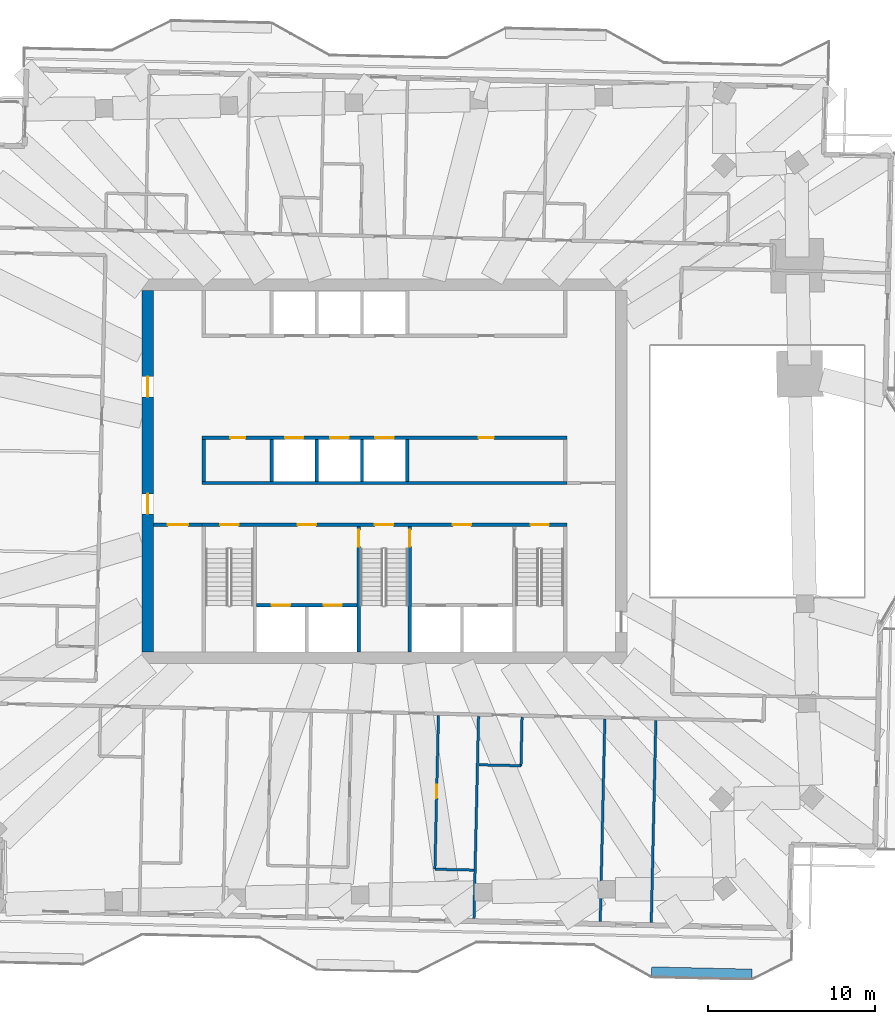
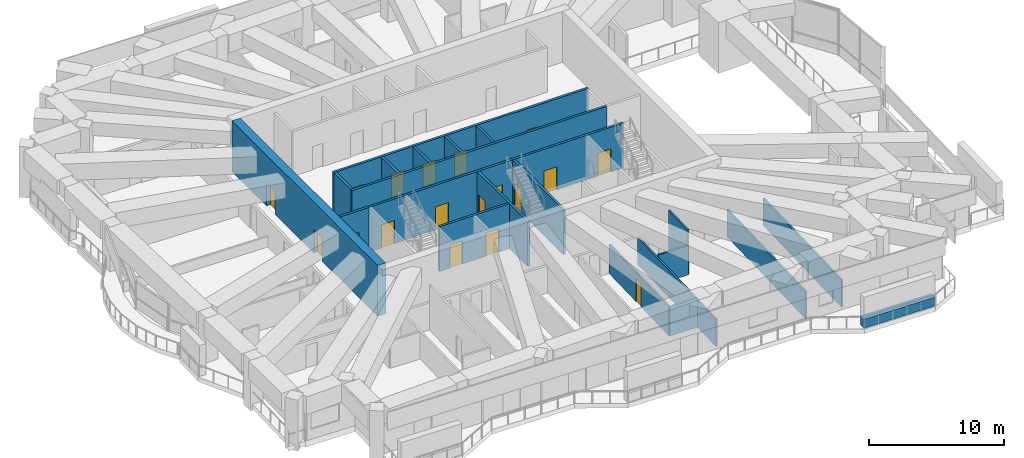
# One storey, part 11 of 20: 21 walls, 18 doors, 18 openings.
"""IFC4 building model written with IfcOpenShell, lengths in metres."""

from ifc_helpers import new_model, si_unit, direction, frame, frame_2d, origin, place, context, subcontext, project, spatial, rectangle, extrude, material, layer, layer_set, type_object, element, fill, save


model = new_model("IFC4")

# Units and contexts
model_context = context("Model", 3, precision=1e-05, world=origin(), true_north=direction((0.0, 1.0)))
body_context = subcontext(model_context, "Body", "Model", "MODEL_VIEW")
ifc_project = project(units=[si_unit("LENGTHUNIT", "METRE"), si_unit("AREAUNIT", "SQUARE_METRE"), si_unit("VOLUMEUNIT", "CUBIC_METRE"), si_unit("PLANEANGLEUNIT", "RADIAN"), si_unit("MASSUNIT", "GRAM", prefix="KILO")], contexts=[model_context])

# Site, building, storey
site_placement = place(None, origin())
site = spatial("IfcSite", under=ifc_project, at=site_placement, CompositionType="ELEMENT")
building_placement = place(site_placement, origin())
building = spatial("IfcBuilding", under=site, at=building_placement, Name="Mangrove Gate Tower", CompositionType="ELEMENT")
storey_placement = place(building_placement, frame((0.0, 0.0, 252.699951171875)))
storey = spatial("IfcBuildingStorey", under=building, at=storey_placement, Name="L64", CompositionType="ELEMENT", Elevation=252.699951171875)

# Wall, opening, door
ifc_material_1 = material(Name="Concrete C32/40", Category="concrete")
ifc_layer_1 = layer(ifc_material_1, 0.199951171875)
ifc_layer_set_1 = layer_set([ifc_layer_1], Name="Core lobby wall 200 C32/40")
wall_type_1 = type_object("IfcWallType", Name="Core lobby wall 200 C32/40", PredefinedType="STANDARD", material=ifc_layer_set_1)
wall_1_placement = place(storey_placement, frame((-13.800048828125, -3.199951171875, 0.0), z_axis=(0.0, 0.0, 1.0), x_axis=(1.0, 0.0, 0.0)))
wall_1 = element("IfcWall", 1, at=wall_1_placement, inside=storey, type_object=wall_type_1, Name="WALL-L64-CORE-31", PredefinedType="STANDARD", context=body_context, shape_type="SweptSolid", body=[
    extrude(rectangle(XDim=2.900146484375, YDim=0.199951171875, at=frame_2d((1.4501953125, 0.0))), origin(), (0.0, 0.0, 1.0), 4.050048828125),
])
opening_1_placement = place(wall_1_placement, frame((0.85009765625, 0.0, 0.0)))
opening_1 = element("IfcOpeningElement", 2, at=opening_1_placement, cuts=wall_1, Name="Opening FL12", PredefinedType="OPENING", context=body_context, shape_type="SweptSolid", body=[
    extrude(rectangle(XDim=1.199951171875, YDim=2.10009765625, at=frame_2d((0.60009765625, 1.050048828125))), frame((0.0, 0.10986328125, 0.0), z_axis=(0.0, -1.0, 0.0), x_axis=(1.0, 0.0, 0.0)), (0.0, 0.0, 1.0), 0.219970703125),
])
ifc_material_2 = material(Name="Fire-rated steel door set", Category="steel")
door_type_1 = type_object("IfcDoorType", Name="Lobby door FD60 1200x2100", OperationType="SINGLE_SWING_LEFT", PredefinedType="DOOR", material=ifc_material_2)
door_1_placement = place(opening_1_placement, origin())
door_1 = element("IfcDoor", 3, at=door_1_placement, inside=storey, type_object=door_type_1, Name="Lobby door core corridor W partition", OperationType="SINGLE_SWING_LEFT", OverallHeight=2.10009765625, OverallWidth=1.199951171875, PredefinedType="DOOR", context=body_context, shape_type="SweptSolid", body=[
    extrude(rectangle(XDim=1.199951171875, YDim=2.10009765625, at=frame_2d((0.60009765625, 1.050048828125))), frame((0.0, 0.02490234375, 0.0), z_axis=(0.0, -1.0, 0.0), x_axis=(1.0, 0.0, 0.0)), (0.0, 0.0, 1.0), 0.050048828125),
])
fill(opening_1, door_1)

# Walls
ifc_material_3 = material(Name="Concrete C32/40", Category="concrete")
ifc_layer_2 = layer(ifc_material_3, 0.199951171875)
ifc_layer_set_2 = layer_set([ifc_layer_2], Name="Core room wall 200 C32/40")
wall_type_2 = type_object("IfcWallType", Name="Core room wall 200 C32/40", PredefinedType="STANDARD", material=ifc_layer_set_2)
wall_2_placement = place(storey_placement, frame((-10.800048828125, -0.60009765625, 0.0), z_axis=(0.0, 0.0, 1.0), x_axis=(0.0, 1.0, 0.0)))
element("IfcWall", 4, at=wall_2_placement, inside=storey, type_object=wall_type_2, Name="WALL-L64-CORE-19", PredefinedType="STANDARD", context=body_context, shape_type="SweptSolid", body=[
    extrude(rectangle(XDim=2.5, YDim=0.199951171875, at=frame_2d((1.25, 0.0))), origin(), (0.0, 0.0, 1.0), 4.050048828125),
])
ifc_material_4 = material(Name="Concrete C60/75", Category="concrete")
ifc_layer_3 = layer(ifc_material_4, 0.199951171875)
ifc_layer_set_3 = layer_set([ifc_layer_3], Name="Core shaft wall 200 C60/75")
wall_type_3 = type_object("IfcWallType", Name="Core shaft wall 200 C60/75", PredefinedType="SHEAR", material=ifc_layer_set_3)
wall_3_placement = place(storey_placement, frame((-10.89990234375, -0.699951171875, 0.0), z_axis=(0.0, 0.0, 1.0), x_axis=(1.0, 0.0, 0.0)))
element("IfcWall", 5, at=wall_3_placement, inside=storey, type_object=wall_type_3, Name="WALL-L64-CORE-6", PredefinedType="SHEAR", context=body_context, shape_type="SweptSolid", body=[
    extrude(rectangle(XDim=21.7998046875, YDim=0.199951171875, at=frame_2d((10.89990234375, 0.0))), origin(), (0.0, 0.0, 1.0), 4.050048828125),
])

# Wall, openings, doors
wall_4_placement = place(storey_placement, frame((-10.89990234375, 2.0, 0.0), z_axis=(0.0, 0.0, 1.0), x_axis=(1.0, 0.0, 0.0)))
wall_4 = element("IfcWall", 6, at=wall_4_placement, inside=storey, type_object=wall_type_3, Name="WALL-L64-CORE-7", PredefinedType="SHEAR", context=body_context, shape_type="SweptSolid", body=[
    extrude(rectangle(XDim=21.7998046875, YDim=0.199951171875, at=frame_2d((10.89990234375, 0.0))), origin(), (0.0, 0.0, 1.0), 4.050048828125),
])
opening_2_placement = place(wall_4_placement, frame((4.949951171875, 0.0, 0.0)))
opening_2 = element("IfcOpeningElement", 7, at=opening_2_placement, cuts=wall_4, Name="Opening LD", PredefinedType="OPENING", context=body_context, shape_type="SweptSolid", body=[
    extrude(rectangle(XDim=1.10009765625, YDim=2.10009765625, at=frame_2d((0.550048828125, 1.050048828125))), frame((0.0, 0.10986328125, 0.0), z_axis=(0.0, -1.0, 0.0), x_axis=(1.0, 0.0, 0.0)), (0.0, 0.0, 1.0), 0.219970703125),
])
opening_3_placement = place(wall_4_placement, frame((7.64990234375, 0.0, 0.0)))
opening_3 = element("IfcOpeningElement", 8, at=opening_3_placement, cuts=wall_4, Name="Opening LD", PredefinedType="OPENING", context=body_context, shape_type="SweptSolid", body=[
    extrude(rectangle(XDim=1.10009765625, YDim=2.10009765625, at=frame_2d((0.550048828125, 1.050048828125))), frame((0.0, 0.10986328125, 0.0), z_axis=(0.0, -1.0, 0.0), x_axis=(1.0, 0.0, 0.0)), (0.0, 0.0, 1.0), 0.219970703125),
])
opening_4_placement = place(wall_4_placement, frame((10.35009765625, 0.0, 0.0)))
opening_4 = element("IfcOpeningElement", 9, at=opening_4_placement, cuts=wall_4, Name="Opening LD", PredefinedType="OPENING", context=body_context, shape_type="SweptSolid", body=[
    extrude(rectangle(XDim=1.10009765625, YDim=2.10009765625, at=frame_2d((0.550048828125, 1.050048828125))), frame((0.0, 0.10986328125, 0.0), z_axis=(0.0, -1.0, 0.0), x_axis=(1.0, 0.0, 0.0)), (0.0, 0.0, 1.0), 0.219970703125),
])
opening_5_placement = place(wall_4_placement, frame((1.675048828125, 0.0, 0.0)))
opening_5 = element("IfcOpeningElement", 10, at=opening_5_placement, cuts=wall_4, Name="Opening KD", PredefinedType="OPENING", context=body_context, shape_type="SweptSolid", body=[
    extrude(rectangle(XDim=0.89990234375, YDim=2.10009765625, at=frame_2d((0.449951171875, 1.050048828125))), frame((0.0, 0.10986328125, 0.0), z_axis=(0.0, -1.0, 0.0), x_axis=(1.0, 0.0, 0.0)), (0.0, 0.0, 1.0), 0.219970703125),
])
opening_6_placement = place(wall_4_placement, frame((16.52490234375, 0.0, 0.0)))
opening_6 = element("IfcOpeningElement", 11, at=opening_6_placement, cuts=wall_4, Name="Opening RD", PredefinedType="OPENING", context=body_context, shape_type="SweptSolid", body=[
    extrude(rectangle(XDim=0.89990234375, YDim=2.10009765625, at=frame_2d((0.449951171875, 1.050048828125))), frame((0.0, 0.10986328125, 0.0), z_axis=(0.0, -1.0, 0.0), x_axis=(1.0, 0.0, 0.0)), (0.0, 0.0, 1.0), 0.219970703125),
])
ifc_material_5 = material(Name="Fire-rated steel door set", Category="steel")
door_type_2 = type_object("IfcDoorType", Name="Core room door FD30S 900x2100", OperationType="SINGLE_SWING_RIGHT", PredefinedType="DOOR", material=ifc_material_5)
door_2_placement = place(opening_5_placement, origin())
door_2 = element("IfcDoor", 12, at=door_2_placement, inside=storey, type_object=door_type_2, Name="Core room door Linen store", OperationType="SINGLE_SWING_RIGHT", OverallHeight=2.10009765625, OverallWidth=0.89990234375, PredefinedType="DOOR", context=body_context, shape_type="SweptSolid", body=[
    extrude(rectangle(XDim=0.89990234375, YDim=2.10009765625, at=frame_2d((0.449951171875, 1.050048828125))), frame((0.0, 0.02490234375, 0.0), z_axis=(0.0, -1.0, 0.0), x_axis=(1.0, 0.0, 0.0)), (0.0, 0.0, 1.0), 0.050048828125),
])
fill(opening_5, door_2)
ifc_material_6 = material(Name="Stainless steel 316", Category="steel")
door_type_3 = type_object("IfcDoorType", Name="Lift landing door 1100x2100", OperationType="SLIDING_TO_LEFT", PredefinedType="DOOR", material=ifc_material_6)
door_3_placement = place(opening_2_placement, origin())
door_3 = element("IfcDoor", 13, at=door_3_placement, inside=storey, type_object=door_type_3, Name="Landing door LD H01", OperationType="SLIDING_TO_LEFT", OverallHeight=2.10009765625, OverallWidth=1.10009765625, PredefinedType="DOOR", context=body_context, shape_type="SweptSolid", body=[
    extrude(rectangle(XDim=1.10009765625, YDim=2.10009765625, at=frame_2d((0.550048828125, 1.050048828125))), frame((0.0, 0.02490234375, 0.0), z_axis=(0.0, -1.0, 0.0), x_axis=(1.0, 0.0, 0.0)), (0.0, 0.0, 1.0), 0.050048828125),
])
fill(opening_2, door_3)
door_4_placement = place(opening_3_placement, origin())
door_4 = element("IfcDoor", 14, at=door_4_placement, inside=storey, type_object=door_type_3, Name="Landing door LD H02", OperationType="SLIDING_TO_LEFT", OverallHeight=2.10009765625, OverallWidth=1.10009765625, PredefinedType="DOOR", context=body_context, shape_type="SweptSolid", body=[
    extrude(rectangle(XDim=1.10009765625, YDim=2.10009765625, at=frame_2d((0.550048828125, 1.050048828125))), frame((0.0, 0.02490234375, 0.0), z_axis=(0.0, -1.0, 0.0), x_axis=(1.0, 0.0, 0.0)), (0.0, 0.0, 1.0), 0.050048828125),
])
fill(opening_3, door_4)
door_5_placement = place(opening_4_placement, origin())
door_5 = element("IfcDoor", 15, at=door_5_placement, inside=storey, type_object=door_type_3, Name="Landing door LD H03", OperationType="SLIDING_TO_LEFT", OverallHeight=2.10009765625, OverallWidth=1.10009765625, PredefinedType="DOOR", context=body_context, shape_type="SweptSolid", body=[
    extrude(rectangle(XDim=1.10009765625, YDim=2.10009765625, at=frame_2d((0.550048828125, 1.050048828125))), frame((0.0, 0.02490234375, 0.0), z_axis=(0.0, -1.0, 0.0), x_axis=(1.0, 0.0, 0.0)), (0.0, 0.0, 1.0), 0.050048828125),
])
fill(opening_4, door_5)
ifc_material_7 = material(Name="Fire-rated steel door set", Category="steel")
door_type_4 = type_object("IfcDoorType", Name="Riser door FD30S 900x2100", OperationType="SINGLE_SWING_LEFT", PredefinedType="DOOR", material=ifc_material_7)
door_6_placement = place(opening_6_placement, origin())
door_6 = element("IfcDoor", 16, at=door_6_placement, inside=storey, type_object=door_type_4, Name="Riser door Switch room", OperationType="SINGLE_SWING_LEFT", OverallHeight=2.10009765625, OverallWidth=0.89990234375, PredefinedType="DOOR", context=body_context, shape_type="SweptSolid", body=[
    extrude(rectangle(XDim=0.89990234375, YDim=2.10009765625, at=frame_2d((0.449951171875, 1.050048828125))), frame((0.0, 0.02490234375, 0.0), z_axis=(0.0, -1.0, 0.0), x_axis=(1.0, 0.0, 0.0)), (0.0, 0.0, 1.0), 0.050048828125),
])
fill(opening_6, door_6)

wall_5_placement = place(storey_placement, frame((-7.64990234375, -8.0, 0.0), z_axis=(0.0, 0.0, 1.0), x_axis=(1.0, 0.0, 0.0)))
wall_5 = element("IfcWall", 17, at=wall_5_placement, inside=storey, type_object=wall_type_3, Name="WALL-L64-CORE-15", PredefinedType="SHEAR", context=body_context, shape_type="SweptSolid", body=[
    extrude(rectangle(XDim=6.0, YDim=0.199951171875, at=frame_2d((3.0, 0.0))), origin(), (0.0, 0.0, 1.0), 4.050048828125),
])
opening_7_placement = place(wall_5_placement, frame((0.89990234375, 0.0, 0.0)))
opening_7 = element("IfcOpeningElement", 18, at=opening_7_placement, cuts=wall_5, Name="Opening LD", PredefinedType="OPENING", context=body_context, shape_type="SweptSolid", body=[
    extrude(rectangle(XDim=1.10009765625, YDim=2.10009765625, at=frame_2d((0.550048828125, 1.050048828125))), frame((0.0, 0.10986328125, 0.0), z_axis=(0.0, -1.0, 0.0), x_axis=(1.0, 0.0, 0.0)), (0.0, 0.0, 1.0), 0.219970703125),
])
opening_8_placement = place(wall_5_placement, frame((4.0, 0.0, 0.0)))
opening_8 = element("IfcOpeningElement", 19, at=opening_8_placement, cuts=wall_5, Name="Opening LD", PredefinedType="OPENING", context=body_context, shape_type="SweptSolid", body=[
    extrude(rectangle(XDim=1.10009765625, YDim=2.10009765625, at=frame_2d((0.550048828125, 1.050048828125))), frame((0.0, 0.10986328125, 0.0), z_axis=(0.0, -1.0, 0.0), x_axis=(1.0, 0.0, 0.0)), (0.0, 0.0, 1.0), 0.219970703125),
])
door_7_placement = place(opening_7_placement, origin())
door_7 = element("IfcDoor", 20, at=door_7_placement, inside=storey, type_object=door_type_3, Name="Landing door LD SVL1", OperationType="SLIDING_TO_LEFT", OverallHeight=2.10009765625, OverallWidth=1.10009765625, PredefinedType="DOOR", context=body_context, shape_type="SweptSolid", body=[
    extrude(rectangle(XDim=1.10009765625, YDim=2.10009765625, at=frame_2d((0.550048828125, 1.050048828125))), frame((0.0, 0.02490234375, 0.0), z_axis=(0.0, -1.0, 0.0), x_axis=(1.0, 0.0, 0.0)), (0.0, 0.0, 1.0), 0.050048828125),
])
fill(opening_7, door_7)
door_8_placement = place(opening_8_placement, origin())
door_8 = element("IfcDoor", 21, at=door_8_placement, inside=storey, type_object=door_type_3, Name="Landing door LD SVL2", OperationType="SLIDING_TO_LEFT", OverallHeight=2.10009765625, OverallWidth=1.10009765625, PredefinedType="DOOR", context=body_context, shape_type="SweptSolid", body=[
    extrude(rectangle(XDim=1.10009765625, YDim=2.10009765625, at=frame_2d((0.550048828125, 1.050048828125))), frame((0.0, 0.02490234375, 0.0), z_axis=(0.0, -1.0, 0.0), x_axis=(1.0, 0.0, 0.0)), (0.0, 0.0, 1.0), 0.050048828125),
])
fill(opening_8, door_8)

# Walls
for number, where, z_axis, x_axis, name in (
    (22, (-6.75, -0.60009765625, 0.0), (0.0, 0.0, 1.0), (0.0, 1.0, 0.0), "WALL-L64-CORE-20"),
    (23, (-4.050048828125, -0.60009765625, 0.0), (0.0, 0.0, 1.0), (0.0, 1.0, 0.0), "WALL-L64-CORE-21"),
    (24, (-1.35009765625, -0.60009765625, 0.0), (0.0, 0.0, 1.0), (0.0, 1.0, 0.0), "WALL-L64-CORE-22"),
    (25, (1.35009765625, -0.60009765625, 0.0), (0.0, 0.0, 1.0), (0.0, 1.0, 0.0), "WALL-L64-CORE-23"),
):
    element("IfcWall", number, at=place(storey_placement, frame(where, z_axis=z_axis, x_axis=x_axis)), inside=storey, type_object=wall_type_3, Name=name, PredefinedType="SHEAR", context=body_context, shape_type="SweptSolid", body=[
        extrude(rectangle(XDim=2.5, YDim=0.199951171875, at=frame_2d((1.25, 0.0))), origin(), (0.0, 0.0, 1.0), 4.050048828125),
    ])

# Wall, openings, doors
ifc_material_8 = material(Name="Concrete C60/75", Category="concrete")
ifc_layer_4 = layer(ifc_material_8, 0.199951171875)
ifc_layer_set_4 = layer_set([ifc_layer_4], Name="Core stair wall 200 C60/75")
wall_type_4 = type_object("IfcWallType", Name="Core stair wall 200 C60/75", PredefinedType="SHEAR", material=ifc_layer_set_4)
wall_6_placement = place(storey_placement, frame((-10.89990234375, -3.199951171875, 0.0), z_axis=(0.0, 0.0, 1.0), x_axis=(1.0, 0.0, 0.0)))
wall_6 = element("IfcWall", 26, at=wall_6_placement, inside=storey, type_object=wall_type_4, Name="WALL-L64-CORE-5", PredefinedType="SHEAR", context=body_context, shape_type="SweptSolid", body=[
    extrude(rectangle(XDim=21.7998046875, YDim=0.199951171875, at=frame_2d((10.89990234375, 0.0))), origin(), (0.0, 0.0, 1.0), 4.050048828125),
])
opening_9_placement = place(wall_6_placement, frame((1.074951171875, 0.0, 0.0)))
opening_9 = element("IfcOpeningElement", 27, at=opening_9_placement, cuts=wall_6, Name="Opening STD11", PredefinedType="OPENING", context=body_context, shape_type="SweptSolid", body=[
    extrude(rectangle(XDim=1.10009765625, YDim=2.10009765625, at=frame_2d((0.550048828125, 1.050048828125))), frame((0.0, 0.10986328125, 0.0), z_axis=(0.0, -1.0, 0.0), x_axis=(1.0, 0.0, 0.0)), (0.0, 0.0, 1.0), 0.219970703125),
])
opening_10_placement = place(wall_6_placement, frame((10.324951171875, 0.0, 0.0)))
opening_10 = element("IfcOpeningElement", 28, at=opening_10_placement, cuts=wall_6, Name="Opening STD11", PredefinedType="OPENING", context=body_context, shape_type="SweptSolid", body=[
    extrude(rectangle(XDim=1.10009765625, YDim=2.10009765625, at=frame_2d((0.550048828125, 1.050048828125))), frame((0.0, 0.10986328125, 0.0), z_axis=(0.0, -1.0, 0.0), x_axis=(1.0, 0.0, 0.0)), (0.0, 0.0, 1.0), 0.219970703125),
])
opening_11_placement = place(wall_6_placement, frame((19.625, 0.0, 0.0)))
opening_11 = element("IfcOpeningElement", 29, at=opening_11_placement, cuts=wall_6, Name="Opening STD11", PredefinedType="OPENING", context=body_context, shape_type="SweptSolid", body=[
    extrude(rectangle(XDim=1.10009765625, YDim=2.10009765625, at=frame_2d((0.550048828125, 1.050048828125))), frame((0.0, 0.10986328125, 0.0), z_axis=(0.0, -1.0, 0.0), x_axis=(1.0, 0.0, 0.0)), (0.0, 0.0, 1.0), 0.219970703125),
])
opening_12_placement = place(wall_6_placement, frame((5.699951171875, 0.0, 0.0)))
opening_12 = element("IfcOpeningElement", 30, at=opening_12_placement, cuts=wall_6, Name="Opening FL", PredefinedType="OPENING", context=body_context, shape_type="SweptSolid", body=[
    extrude(rectangle(XDim=1.10009765625, YDim=2.10009765625, at=frame_2d((0.550048828125, 1.050048828125))), frame((0.0, 0.10986328125, 0.0), z_axis=(0.0, -1.0, 0.0), x_axis=(1.0, 0.0, 0.0)), (0.0, 0.0, 1.0), 0.219970703125),
])
opening_13_placement = place(wall_6_placement, frame((14.97509765625, 0.0, 0.0)))
opening_13 = element("IfcOpeningElement", 31, at=opening_13_placement, cuts=wall_6, Name="Opening FL", PredefinedType="OPENING", context=body_context, shape_type="SweptSolid", body=[
    extrude(rectangle(XDim=1.10009765625, YDim=2.10009765625, at=frame_2d((0.550048828125, 1.050048828125))), frame((0.0, 0.10986328125, 0.0), z_axis=(0.0, -1.0, 0.0), x_axis=(1.0, 0.0, 0.0)), (0.0, 0.0, 1.0), 0.219970703125),
])
ifc_material_9 = material(Name="Fire-rated steel door set", Category="steel")
door_type_5 = type_object("IfcDoorType", Name="Lobby door FD60 1100x2100", OperationType="SINGLE_SWING_LEFT", PredefinedType="DOOR", material=ifc_material_9)
door_9_placement = place(opening_12_placement, origin())
door_9 = element("IfcDoor", 32, at=door_9_placement, inside=storey, type_object=door_type_5, Name="Lobby door service lobby", OperationType="SINGLE_SWING_LEFT", OverallHeight=2.10009765625, OverallWidth=1.10009765625, PredefinedType="DOOR", context=body_context, shape_type="SweptSolid", body=[
    extrude(rectangle(XDim=1.10009765625, YDim=2.10009765625, at=frame_2d((0.550048828125, 1.050048828125))), frame((0.0, 0.02490234375, 0.0), z_axis=(0.0, -1.0, 0.0), x_axis=(1.0, 0.0, 0.0)), (0.0, 0.0, 1.0), 0.050048828125),
])
fill(opening_12, door_9)
door_10_placement = place(opening_13_placement, origin())
door_10 = element("IfcDoor", 33, at=door_10_placement, inside=storey, type_object=door_type_5, Name="Lobby door fire-fighting lobby", OperationType="SINGLE_SWING_LEFT", OverallHeight=2.10009765625, OverallWidth=1.10009765625, PredefinedType="DOOR", context=body_context, shape_type="SweptSolid", body=[
    extrude(rectangle(XDim=1.10009765625, YDim=2.10009765625, at=frame_2d((0.550048828125, 1.050048828125))), frame((0.0, 0.02490234375, 0.0), z_axis=(0.0, -1.0, 0.0), x_axis=(1.0, 0.0, 0.0)), (0.0, 0.0, 1.0), 0.050048828125),
])
fill(opening_13, door_10)
ifc_material_10 = material(Name="Fire-rated steel door set", Category="steel")
door_type_6 = type_object("IfcDoorType", Name="Stair door FD60 1100x2100", OperationType="SINGLE_SWING_RIGHT", PredefinedType="DOOR", material=ifc_material_10)
door_11_placement = place(opening_9_placement, origin())
door_11 = element("IfcDoor", 34, at=door_11_placement, inside=storey, type_object=door_type_6, Name="Stair door Stair 1", OperationType="SINGLE_SWING_RIGHT", OverallHeight=2.10009765625, OverallWidth=1.10009765625, PredefinedType="DOOR", context=body_context, shape_type="SweptSolid", body=[
    extrude(rectangle(XDim=1.10009765625, YDim=2.10009765625, at=frame_2d((0.550048828125, 1.050048828125))), frame((0.0, 0.02490234375, 0.0), z_axis=(0.0, -1.0, 0.0), x_axis=(1.0, 0.0, 0.0)), (0.0, 0.0, 1.0), 0.050048828125),
])
fill(opening_9, door_11)
door_12_placement = place(opening_10_placement, origin())
door_12 = element("IfcDoor", 35, at=door_12_placement, inside=storey, type_object=door_type_6, Name="Stair door Stair 2", OperationType="SINGLE_SWING_RIGHT", OverallHeight=2.10009765625, OverallWidth=1.10009765625, PredefinedType="DOOR", context=body_context, shape_type="SweptSolid", body=[
    extrude(rectangle(XDim=1.10009765625, YDim=2.10009765625, at=frame_2d((0.550048828125, 1.050048828125))), frame((0.0, 0.02490234375, 0.0), z_axis=(0.0, -1.0, 0.0), x_axis=(1.0, 0.0, 0.0)), (0.0, 0.0, 1.0), 0.050048828125),
])
fill(opening_10, door_12)
door_13_placement = place(opening_11_placement, origin())
door_13 = element("IfcDoor", 36, at=door_13_placement, inside=storey, type_object=door_type_6, Name="Stair door Stair 3", OperationType="SINGLE_SWING_RIGHT", OverallHeight=2.10009765625, OverallWidth=1.10009765625, PredefinedType="DOOR", context=body_context, shape_type="SweptSolid", body=[
    extrude(rectangle(XDim=1.10009765625, YDim=2.10009765625, at=frame_2d((0.550048828125, 1.050048828125))), frame((0.0, 0.02490234375, 0.0), z_axis=(0.0, -1.0, 0.0), x_axis=(1.0, 0.0, 0.0)), (0.0, 0.0, 1.0), 0.050048828125),
])
fill(opening_11, door_13)

# Wall, opening, door
wall_7_placement = place(storey_placement, frame((-1.550048828125, -10.800048828125, 0.0), z_axis=(0.0, 0.0, 1.0), x_axis=(0.0, 1.0, 0.0)))
wall_7 = element("IfcWall", 37, at=wall_7_placement, inside=storey, type_object=wall_type_4, Name="WALL-L64-CORE-11", PredefinedType="SHEAR", context=body_context, shape_type="SweptSolid", body=[
    extrude(rectangle(XDim=7.5, YDim=0.199951171875, at=frame_2d((3.75, 0.0))), origin(), (0.0, 0.0, 1.0), 4.050048828125),
])
opening_14_placement = place(wall_7_placement, frame((6.300048828125, 0.0, 0.0)))
opening_14 = element("IfcOpeningElement", 38, at=opening_14_placement, cuts=wall_7, Name="Opening STD10", PredefinedType="OPENING", context=body_context, shape_type="SweptSolid", body=[
    extrude(rectangle(XDim=1.0, YDim=2.10009765625, at=frame_2d((0.5, 1.050048828125))), frame((0.0, 0.10986328125, 0.0), z_axis=(0.0, -1.0, 0.0), x_axis=(1.0, 0.0, 0.0)), (0.0, 0.0, 1.0), 0.219970703125),
])
ifc_material_11 = material(Name="Fire-rated steel door set", Category="steel")
door_type_7 = type_object("IfcDoorType", Name="Stair door FD60 1000x2100", OperationType="SINGLE_SWING_RIGHT", PredefinedType="DOOR", material=ifc_material_11)
door_14_placement = place(opening_14_placement, origin())
door_14 = element("IfcDoor", 39, at=door_14_placement, inside=storey, type_object=door_type_7, Name="Stair door Stair 2 from service lobby", OperationType="SINGLE_SWING_RIGHT", OverallHeight=2.10009765625, OverallWidth=1.0, PredefinedType="DOOR", context=body_context, shape_type="SweptSolid", body=[
    extrude(rectangle(XDim=1.0, YDim=2.10009765625, at=frame_2d((0.5, 1.050048828125))), frame((0.0, 0.02490234375, 0.0), z_axis=(0.0, -1.0, 0.0), x_axis=(1.0, 0.0, 0.0)), (0.0, 0.0, 1.0), 0.050048828125),
])
fill(opening_14, door_14)

wall_8_placement = place(storey_placement, frame((1.5, -10.800048828125, 0.0), z_axis=(0.0, 0.0, 1.0), x_axis=(0.0, 1.0, 0.0)))
wall_8 = element("IfcWall", 40, at=wall_8_placement, inside=storey, type_object=wall_type_4, Name="WALL-L64-CORE-12", PredefinedType="SHEAR", context=body_context, shape_type="SweptSolid", body=[
    extrude(rectangle(XDim=7.5, YDim=0.199951171875, at=frame_2d((3.75, 0.0))), origin(), (0.0, 0.0, 1.0), 4.050048828125),
])
opening_15_placement = place(wall_8_placement, frame((6.300048828125, 0.0, 0.0)))
opening_15 = element("IfcOpeningElement", 41, at=opening_15_placement, cuts=wall_8, Name="Opening STD10", PredefinedType="OPENING", context=body_context, shape_type="SweptSolid", body=[
    extrude(rectangle(XDim=1.0, YDim=2.10009765625, at=frame_2d((0.5, 1.050048828125))), frame((0.0, 0.10986328125, 0.0), z_axis=(0.0, -1.0, 0.0), x_axis=(1.0, 0.0, 0.0)), (0.0, 0.0, 1.0), 0.219970703125),
])
door_15_placement = place(opening_15_placement, origin())
door_15 = element("IfcDoor", 42, at=door_15_placement, inside=storey, type_object=door_type_7, Name="Stair door Stair 2 from fire-fighting lobby", OperationType="SINGLE_SWING_RIGHT", OverallHeight=2.10009765625, OverallWidth=1.0, PredefinedType="DOOR", context=body_context, shape_type="SweptSolid", body=[
    extrude(rectangle(XDim=1.0, YDim=2.10009765625, at=frame_2d((0.5, 1.050048828125))), frame((0.0, 0.02490234375, 0.0), z_axis=(0.0, -1.0, 0.0), x_axis=(1.0, 0.0, 0.0)), (0.0, 0.0, 1.0), 0.050048828125),
])
fill(opening_15, door_15)

# Wall, openings, doors
ifc_material_12 = material(Name="Concrete C60/75", Category="concrete")
ifc_layer_5 = layer(ifc_material_12, 0.699951171875)
ifc_layer_set_5 = layer_set([ifc_layer_5], Name="Core wall 700 C60/75")
wall_type_5 = type_object("IfcWallType", Name="Core wall 700 C60/75", PredefinedType="SHEAR", material=ifc_layer_set_5)
wall_9_placement = place(storey_placement, frame((-14.14990234375, -10.800048828125, 0.0), z_axis=(0.0, 0.0, 1.0), x_axis=(0.0, 1.0, 0.0)))
wall_9 = element("IfcWall", 43, at=wall_9_placement, inside=storey, type_object=wall_type_5, Name="WALL-L64-CORE-3", PredefinedType="SHEAR", context=body_context, shape_type="SweptSolid", body=[
    extrude(rectangle(XDim=21.60009765625, YDim=0.699951171875, at=frame_2d((10.800048828125, 0.0))), origin(), (0.0, 0.0, 1.0), 4.60009765625),
])
opening_16_placement = place(wall_9_placement, frame((8.25, 0.0, 0.0)))
opening_16 = element("IfcOpeningElement", 44, at=opening_16_placement, cuts=wall_9, Name="Opening CD", PredefinedType="OPENING", context=body_context, shape_type="SweptSolid", body=[
    extrude(rectangle(XDim=1.199951171875, YDim=2.10009765625, at=frame_2d((0.60009765625, 1.050048828125))), frame((0.0, 0.35986328125, 0.0), z_axis=(0.0, -1.0, 0.0), x_axis=(1.0, 0.0, 0.0)), (0.0, 0.0, 1.0), 0.719970703125),
])
opening_17_placement = place(wall_9_placement, frame((15.25, 0.0, 0.0)))
opening_17 = element("IfcOpeningElement", 45, at=opening_17_placement, cuts=wall_9, Name="Opening CD", PredefinedType="OPENING", context=body_context, shape_type="SweptSolid", body=[
    extrude(rectangle(XDim=1.199951171875, YDim=2.10009765625, at=frame_2d((0.60009765625, 1.050048828125))), frame((0.0, 0.35986328125, 0.0), z_axis=(0.0, -1.0, 0.0), x_axis=(1.0, 0.0, 0.0)), (0.0, 0.0, 1.0), 0.719970703125),
])
ifc_material_13 = material(Name="Fire-rated steel door set", Category="steel")
door_type_8 = type_object("IfcDoorType", Name="Core ring door FD60 1200x2100", OperationType="DOUBLE_DOOR_SINGLE_SWING", PredefinedType="DOOR", material=ifc_material_13)
door_16_placement = place(opening_16_placement, origin())
door_16 = element("IfcDoor", 46, at=door_16_placement, inside=storey, type_object=door_type_8, Name="Core ring door W1", OperationType="DOUBLE_DOOR_SINGLE_SWING", OverallHeight=2.10009765625, OverallWidth=1.199951171875, PredefinedType="DOOR", context=body_context, shape_type="SweptSolid", body=[
    extrude(rectangle(XDim=1.199951171875, YDim=2.10009765625, at=frame_2d((0.60009765625, 1.050048828125))), frame((0.0, 0.02490234375, 0.0), z_axis=(0.0, -1.0, 0.0), x_axis=(1.0, 0.0, 0.0)), (0.0, 0.0, 1.0), 0.050048828125),
])
fill(opening_16, door_16)
door_17_placement = place(opening_17_placement, origin())
door_17 = element("IfcDoor", 47, at=door_17_placement, inside=storey, type_object=door_type_8, Name="Core ring door W2", OperationType="DOUBLE_DOOR_SINGLE_SWING", OverallHeight=2.10009765625, OverallWidth=1.199951171875, PredefinedType="DOOR", context=body_context, shape_type="SweptSolid", body=[
    extrude(rectangle(XDim=1.199951171875, YDim=2.10009765625, at=frame_2d((0.60009765625, 1.050048828125))), frame((0.0, 0.02490234375, 0.0), z_axis=(0.0, -1.0, 0.0), x_axis=(1.0, 0.0, 0.0)), (0.0, 0.0, 1.0), 0.050048828125),
])
fill(opening_17, door_17)

# Walls
ifc_material_14 = material(Name="Gypsum board on steel stud, EI 60", Category="steel")
ifc_layer_6 = layer(ifc_material_14, 0.14990234375)
ifc_layer_set_6 = layer_set([ifc_layer_6], Name="Party wall 150 EI 60")
wall_type_6 = type_object("IfcWallType", Name="Party wall 150 EI 60", PredefinedType="PARTITIONING", material=ifc_layer_set_6)
wall_10_placement = place(storey_placement, frame((5.342041015625, -26.740966796875, 0.0), z_axis=(0.0, 0.0, 1.0), x_axis=(0.02263844782, 0.9997437175, 0.0)))
element("IfcWall", 48, at=wall_10_placement, inside=storey, type_object=wall_type_6, Name="WALL-L64-005", PredefinedType="PARTITIONING", context=body_context, shape_type="SweptSolid", body=[
    extrude(rectangle(XDim=12.10009765625, YDim=0.14990234375, at=frame_2d((6.050048828125, 0.0))), origin(), (0.0, 0.0, 1.0), 2.449951171875),
])
wall_11_placement = place(storey_placement, frame((12.889892578125, -26.9130859375, 0.0), z_axis=(0.0, 0.0, 1.0), x_axis=(0.022658157282, 0.999743270999, 0.0)))
element("IfcWall", 49, at=wall_11_placement, inside=storey, type_object=wall_type_6, Name="WALL-L64-006", PredefinedType="PARTITIONING", context=body_context, shape_type="SweptSolid", body=[
    extrude(rectangle(XDim=12.100341796875, YDim=0.14990234375, at=frame_2d((6.05029296875, 0.0))), origin(), (0.0, 0.0, 1.0), 2.449951171875),
])
wall_12_placement = place(storey_placement, frame((15.93896484375, -26.98193359375, 0.0), z_axis=(0.0, 0.0, 1.0), x_axis=(0.02263844782, 0.9997437175, 0.0)))
element("IfcWall", 50, at=wall_12_placement, inside=storey, type_object=wall_type_6, Name="WALL-L64-007", PredefinedType="PARTITIONING", context=body_context, shape_type="SweptSolid", body=[
    extrude(rectangle(XDim=12.10009765625, YDim=0.14990234375, at=frame_2d((6.050048828125, 0.0))), origin(), (0.0, 0.0, 1.0), 2.449951171875),
])

# Wall, opening, door
wall_13_placement = place(storey_placement, frame((3.008056640625, -23.7880859375, 0.0), z_axis=(0.0, 0.0, 1.0), x_axis=(0.02271477479, 0.999741986218, 0.0)))
wall_13 = element("IfcWall", 51, at=wall_13_placement, inside=storey, type_object=wall_type_6, Name="WALL-L64-013", PredefinedType="PARTITIONING", context=body_context, shape_type="SweptSolid", body=[
    extrude(rectangle(XDim=9.200439453125, YDim=0.14990234375, at=frame_2d((4.60009765625, 0.0))), origin(), (0.0, 0.0, 1.0), 2.650146484375),
])
opening_18_placement = place(wall_13_placement, frame((4.25, 0.0, 0.0)))
opening_18 = element("IfcOpeningElement", 52, at=opening_18_placement, cuts=wall_13, Name="Opening ED", PredefinedType="OPENING", context=body_context, shape_type="SweptSolid", body=[
    extrude(rectangle(XDim=0.800048828125, YDim=2.10009765625, at=frame_2d((0.39990234375, 1.050048828125))), frame((0.0, 0.0849609375, 0.0), z_axis=(0.0, -1.0, 0.0), x_axis=(1.0, 0.0, 0.0)), (0.0, 0.0, 1.0), 0.169921875),
])
ifc_material_15 = material(Name="Timber door leaf", Category="wood")
door_type_9 = type_object("IfcDoorType", Name="En-suite door 800", OperationType="SINGLE_SWING_LEFT", PredefinedType="DOOR", material=ifc_material_15)
door_18_placement = place(opening_18_placement, origin())
door_18 = element("IfcDoor", 53, at=door_18_placement, inside=storey, type_object=door_type_9, Name="DOOR-L64-ENS-c304", OperationType="SINGLE_SWING_RIGHT", OverallHeight=2.10009765625, OverallWidth=0.800048828125, PredefinedType="DOOR", context=body_context, shape_type="SweptSolid", body=[
    extrude(rectangle(XDim=0.800048828125, YDim=2.10009765625, at=frame_2d((0.39990234375, 1.050048828125))), frame((0.0, 0.02490234375, 0.0), z_axis=(0.0, -1.0, 0.0), x_axis=(1.0, 0.0, 0.0)), (0.0, 0.0, 1.0), 0.050048828125),
])
fill(opening_18, door_18)

# Walls
wall_14_placement = place(storey_placement, frame((3.011962890625, -23.7880859375, 0.0), z_axis=(0.0, 0.0, 1.0), x_axis=(0.999749954681, -0.022361308448, 0.0)))
element("IfcWall", 54, at=wall_14_placement, inside=storey, type_object=wall_type_6, Name="WALL-L64-014", PredefinedType="PARTITIONING", context=body_context, shape_type="SweptSolid", body=[
    extrude(rectangle(XDim=2.325439453125, YDim=0.14990234375, at=frame_2d((1.16259765625, 0.0))), origin(), (0.0, 0.0, 1.0), 2.650146484375),
])
wall_15_placement = place(storey_placement, frame((5.62890625, -17.5458984375, 0.0), z_axis=(0.0, 0.0, 1.0), x_axis=(0.999744175585, -0.022618209135, 0.0)))
element("IfcWall", 55, at=wall_15_placement, inside=storey, type_object=wall_type_6, Name="WALL-L64-017", PredefinedType="PARTITIONING", context=body_context, shape_type="SweptSolid", body=[
    extrude(rectangle(XDim=2.52587890625, YDim=0.14990234375, at=frame_2d((1.262939453125, 0.0))), origin(), (0.0, 0.0, 1.0), 2.650146484375),
])
wall_16_placement = place(storey_placement, frame((8.14990234375, -17.60302734375, 0.0), z_axis=(0.0, 0.0, 1.0), x_axis=(0.022807433839, 0.999739876649, 0.0)))
element("IfcWall", 56, at=wall_16_placement, inside=storey, type_object=wall_type_6, Name="WALL-L64-018", PredefinedType="PARTITIONING", context=body_context, shape_type="SweptSolid", body=[
    extrude(rectangle(XDim=2.90087890625, YDim=0.14990234375, at=frame_2d((1.450439453125, 0.0))), origin(), (0.0, 0.0, 1.0), 4.050048828125),
])
ifc_material_16 = material(Name="Concrete C32/40", Category="concrete")
ifc_layer_7 = layer(ifc_material_16, 0.199951171875, Name="Planter trough wall")
ifc_material_17 = material(Name="Bituminous waterproofing membrane")
ifc_layer_8 = layer(ifc_material_17, 0.0048828125, Name="Waterproofing")
ifc_material_18 = material(Name="Drainage board and gravel")
ifc_layer_9 = layer(ifc_material_18, 0.044921875, Name="Drainage layer")
ifc_material_19 = material(Name="Planting soil")
ifc_layer_10 = layer(ifc_material_19, 0.300048828125, Name="Growing medium")
ifc_layer_set_7 = layer_set([ifc_layer_7, ifc_layer_8, ifc_layer_9, ifc_layer_10], Name="Planter wall 550 C32/40")
wall_type_7 = type_object("IfcWallType", Name="Planter wall 550 C32/40", PredefinedType="USERDEFINED", material=ifc_layer_set_7)
wall_17_placement = place(storey_placement, frame((15.962890625, -29.89794921875, 0.0), z_axis=(0.0, 0.0, 1.0), x_axis=(0.999743094499, -0.022665943652, 0.0)))
element("IfcWall", 57, at=wall_17_placement, inside=storey, type_object=wall_type_7, Name="PLANTER L64 S1.1", ObjectType="PLANTER", PredefinedType="USERDEFINED", context=body_context, shape_type="SweptSolid", body=[
    extrude(rectangle(XDim=5.99951171875, YDim=0.550048828125, at=frame_2d((2.999755859375, 0.0))), origin(), (0.0, 0.0, 1.0), 0.800048828125),
])

save(model, "model.ifc")
